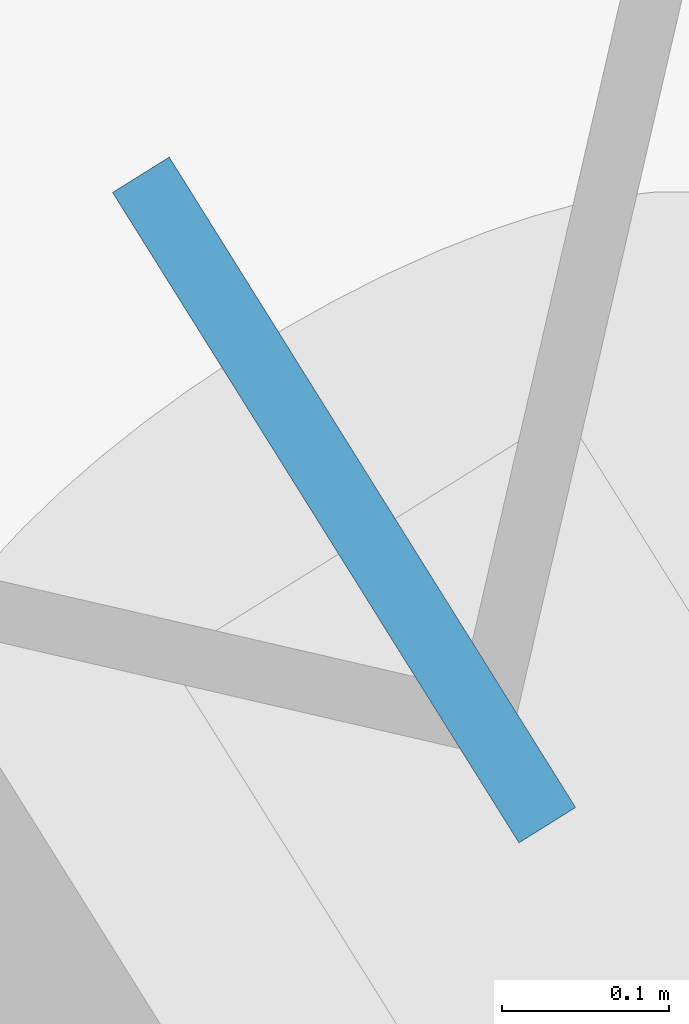
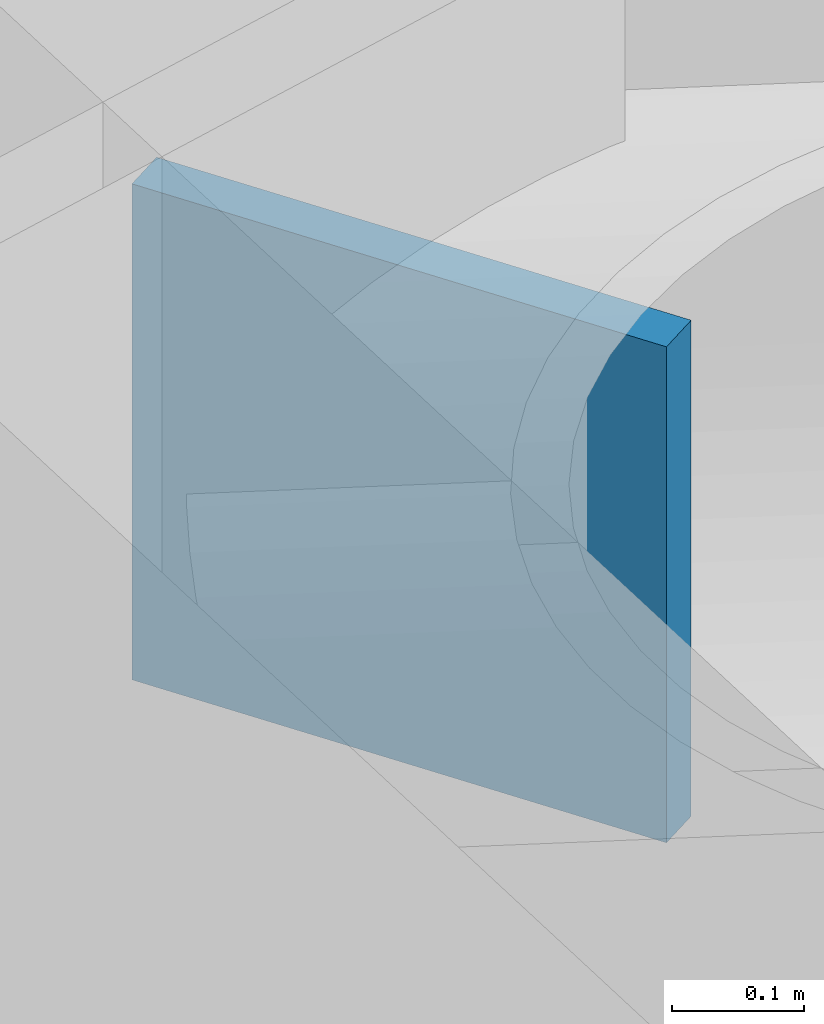
# One storey, part 19 of 20: 1 discrete accessory.
"""IFC4 building model written with IfcOpenShell, lengths in metres."""

from ifc_helpers import new_model, si_unit, direction, frame, origin, origin_2d, place, context, subcontext, project, spatial, rectangle, extrude, material, type_object, element, save


model = new_model("IFC4")

# Units and contexts
model_context = context("Model", 3, precision=1e-05, world=origin(), true_north=direction((0.0, 1.0)))
body_context = subcontext(model_context, "Body", "Model", "MODEL_VIEW")
ifc_project = project(units=[si_unit("LENGTHUNIT", "METRE"), si_unit("AREAUNIT", "SQUARE_METRE"), si_unit("VOLUMEUNIT", "CUBIC_METRE"), si_unit("PLANEANGLEUNIT", "RADIAN"), si_unit("MASSUNIT", "GRAM", prefix="KILO")], contexts=[model_context])

# Site, building, storey
site_placement = place(None, origin())
site = spatial("IfcSite", under=ifc_project, at=site_placement, CompositionType="ELEMENT")
building_placement = place(site_placement, origin())
building = spatial("IfcBuilding", under=site, at=building_placement, Name="Tavrogorsk Clinical Tower", CompositionType="ELEMENT")
storey_placement = place(building_placement, frame((0.0, 0.0, 67.39990234375)))
storey = spatial("IfcBuildingStorey", under=building, at=storey_placement, Name="L14", CompositionType="ELEMENT", Elevation=67.39990234375)

# Discrete accessory
ifc_material = material(Name="Structural steel S440", Category="steel")
discrete_accessory_type = type_object("IfcDiscreteAccessoryType", Name="GussetPlateBracket_25", PredefinedType="BRACKET", material=ifc_material)
discrete_accessory_placement = place(storey_placement, frame((36.65380859375, 14.481689453125, 0.212646484375), z_axis=(0.0, 0.0, 1.0), x_axis=(0.529919264233, -0.848048096156, 0.0)))
element("IfcDiscreteAccessory", 1, at=discrete_accessory_placement, inside=storey, type_object=discrete_accessory_type, Name="L14 Brace Gusset Plate EXOCRN-L14-2-A", PredefinedType="BRACKET", context=body_context, shape_type="SweptSolid", body=[
    extrude(rectangle(XDim=0.4599609375, YDim=0.0400390625, at=origin_2d()), origin(), (0.0, 0.0, 1.0), 0.4599609375),
])

save(model, "model.ifc")
